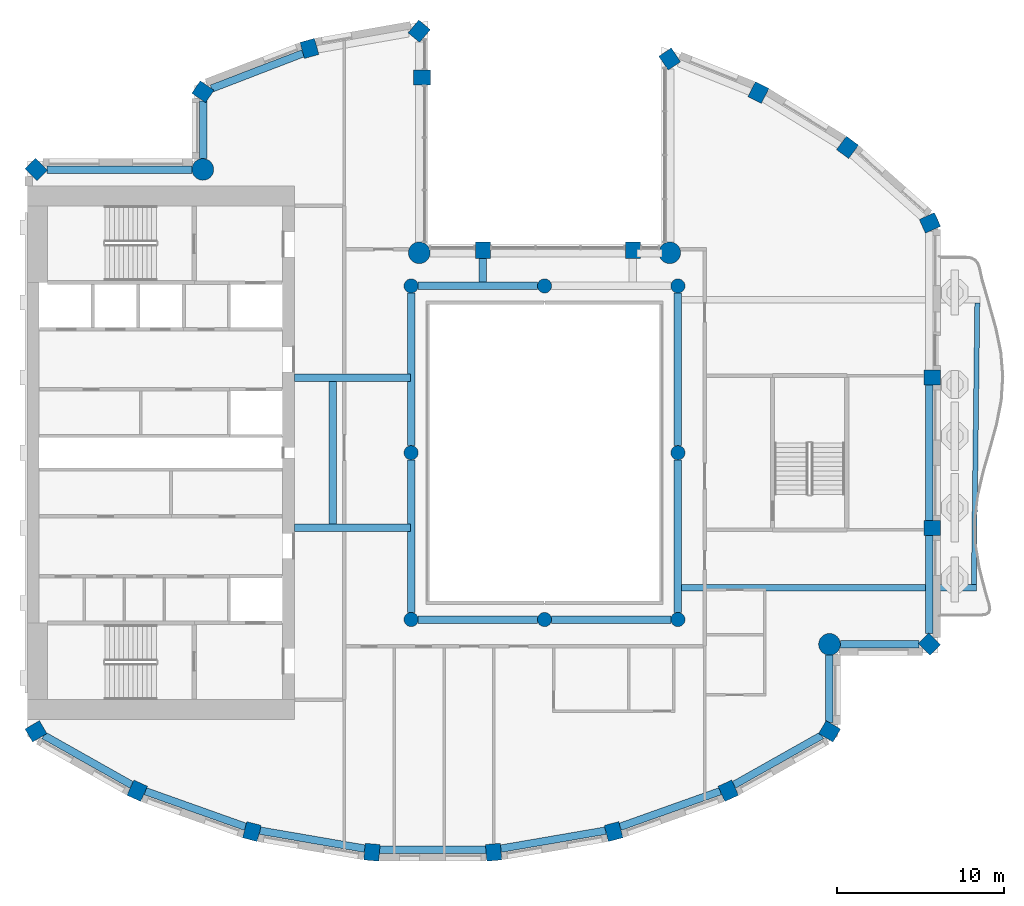
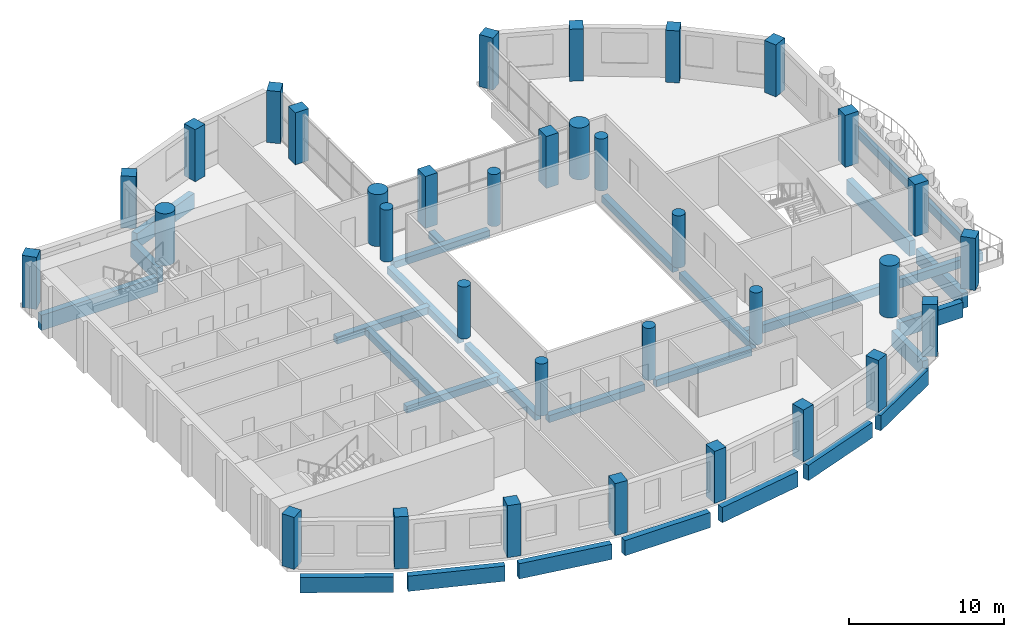
# One storey, part 1 of 14: 34 columns, 27 beams.
"""IFC4 building model written with IfcOpenShell, lengths in metres."""

from ifc_helpers import new_model, si_unit, direction, frame, origin, origin_2d, place, context, subcontext, project, spatial, rectangle, circle, extrude, material, material_profile, profile_set, type_object, element, save


model = new_model("IFC4")

# Units and contexts
model_context = context("Model", 3, precision=1e-05, world=origin(), true_north=direction((0.0, 1.0)))
body_context = subcontext(model_context, "Body", "Model", "MODEL_VIEW")
ifc_project = project(units=[si_unit("LENGTHUNIT", "METRE"), si_unit("AREAUNIT", "SQUARE_METRE"), si_unit("VOLUMEUNIT", "CUBIC_METRE"), si_unit("PLANEANGLEUNIT", "RADIAN"), si_unit("MASSUNIT", "GRAM", prefix="KILO")], contexts=[model_context])

# Site, building, storey
site_placement = place(None, origin())
site = spatial("IfcSite", under=ifc_project, at=site_placement, CompositionType="ELEMENT")
building_placement = place(site_placement, origin())
building = spatial("IfcBuilding", under=site, at=building_placement, Name="Cypress Arch Tower", CompositionType="ELEMENT")
storey_placement = place(building_placement, frame((0.0, 0.0, 251.60009765625)))
storey = spatial("IfcBuildingStorey", under=building, at=storey_placement, Name="L56", CompositionType="ELEMENT", Elevation=251.60009765625)

# Columns
ifc_material_1 = material(Name="Concrete C60/75", Category="concrete")
ifc_material_profile_1 = material_profile(ifc_material_1, rectangle(XDim=0.89990234375, YDim=1.0, at=origin_2d()), Name="RC 900x1000")
ifc_profile_set_1 = profile_set([ifc_material_profile_1], Name="Concrete C60/75")
column_type_1 = type_object("IfcColumnType", Name="Column RC 900x1000 Concrete C60/75", PredefinedType="COLUMN", material=ifc_profile_set_1)
for number, where, z_axis, x_axis, name in (
    (1, (8.5029296875, 23.606201171875, 0.0), (0.0, 0.0, 1.0), (-0.828469606019, -0.560034027451, 0.0), "Column L56 CC00"),
    (2, (6.300048828125, 12.14990234375, 0.0), (0.0, 0.0, 1.0), (-1.0, 0.0, 0.0), "Column L56 CC02"),
    (3, (-2.699951171875, 12.14990234375, 0.0), (0.0, 0.0, 1.0), (-1.0, 0.0, 0.0), "Column L56 CC03"),
    (4, (-6.35009765625, 22.5, 0.0), (0.0, 0.0, 1.0), (0.0, 1.0, 0.0), "Column L56 CC05"),
    (5, (-6.51611328125, 25.27490234375, 0.0), (0.0, 0.0, 1.0), (-0.766063514674, 0.642764880407, 0.0), "Column L56 CC06"),
    (6, (-13.0947265625, 24.241455078125, 0.0), (0.0, 0.0, 1.0), (-0.96345574646, -0.267867550506, 0.0), "Column L56 CC07"),
    (7, (-19.483154296875, 21.645263671875, 0.0), (0.0, 0.0, 1.0), (-0.565892599589, -0.824478966215, 0.0), "Column L56 CC08"),
    (8, (-29.478271484375, 16.978271484375, 0.0), (0.0, 0.0, 1.0), (-0.707106781187, -0.707106781187, 0.0), "Column L56 CC10"),
    (9, (-29.4912109375, -16.702880859375, 0.0), (0.0, 0.0, 1.0), (0.504399289829, -0.86347053014, 0.0), "Column L56 CC11"),
    (10, (-23.4189453125, -20.266845703125, 0.0), (0.0, 0.0, 1.0), (0.909932071487, -0.414757308891, 0.0), "Column L56 CC12"),
    (11, (-16.541748046875, -22.714599609375, 0.0), (0.0, 0.0, 1.0), (0.96735573689, -0.2534223319, 0.0), "Column L56 CC13"),
    (12, (-9.346923828125, -23.95361328125, 0.0), (0.0, 0.0, 1.0), (0.996368206733, -0.085149260784, 0.0), "Column L56 CC14"),
    (13, (-2.052978515625, -23.95361328125, 0.0), (0.0, 0.0, 1.0), (0.996368206733, 0.085149260784, 0.0), "Column L56 CC15"),
    (14, (5.1416015625, -22.714599609375, 0.0), (0.0, 0.0, 1.0), (0.96735573689, 0.2534223319, 0.0), "Column L56 CC16"),
    (15, (12.01904296875, -20.266845703125, 0.0), (0.0, 0.0, 1.0), (0.909932071487, 0.414757308891, 0.0), "Column L56 CC17"),
    (16, (18.09130859375, -16.702880859375, 0.0), (0.0, 0.0, 1.0), (0.504399289829, 0.86347053014, 0.0), "Column L56 CC18"),
    (17, (24.078369140625, -11.478271484375, 0.0), (0.0, 0.0, 1.0), (0.707106781187, 0.707106781187, 0.0), "Column L56 CC20"),
    (18, (24.25, -4.5, 0.0), (0.0, 0.0, 1.0), (0.0, 1.0, 0.0), "Column L56 CC21"),
    (19, (24.25, 4.5, 0.0), (0.0, 0.0, 1.0), (0.0, 1.0, 0.0), "Column L56 CC22"),
    (20, (24.109619140625, 13.77978515625, 0.0), (0.0, 0.0, 1.0), (-0.409765058504, 0.912191096662, 0.0), "Column L56 CC23"),
    (21, (19.168212890625, 18.307861328125, 0.0), (0.0, 0.0, 1.0), (-0.802798546114, 0.596250362144, 0.0), "Column L56 CC24"),
    (22, (13.82568359375, 21.59375, 0.0), (0.0, 0.0, 1.0), (-0.893106499805, 0.44984528452, 0.0), "Column L56 CC25"),
):
    element("IfcColumn", number, at=place(storey_placement, frame(where, z_axis=z_axis, x_axis=x_axis)), inside=storey, type_object=column_type_1, Name=name, PredefinedType="COLUMN", context=body_context, shape_type="SweptSolid", body=[
        extrude(rectangle(XDim=0.89990234375, YDim=1.0, at=origin_2d()), origin(), (0.0, 0.0, 1.0), 4.099853515625),
    ])
ifc_material_2 = material(Name="Concrete C60/75", Category="concrete")
ifc_material_profile_2 = material_profile(ifc_material_2, circle(Radius=0.425048828125, at=origin_2d()), Name="RC D850")
ifc_profile_set_2 = profile_set([ifc_material_profile_2], Name="Concrete C60/75")
column_type_2 = type_object("IfcColumnType", Name="Column RC D850 Concrete C60/75", PredefinedType="COLUMN", material=ifc_profile_set_2)
for number, where, z_axis, x_axis, name in (
    (23, (-7.0, -10.0, 0.0), (0.0, 0.0, 1.0), (1.0, 0.0, 0.0), "Column L56 RNG-L56-G-7-10"),
    (24, (-7.0, 0.0, 0.0), (0.0, 0.0, 1.0), (1.0, 0.0, 0.0), "Column L56 RNG-L56-G-7+0"),
    (25, (-7.0, 10.0, 0.0), (0.0, 0.0, 1.0), (1.0, 0.0, 0.0), "Column L56 RNG-L56-G-7+10"),
    (26, (1.0, -10.0, 0.0), (0.0, 0.0, 1.0), (1.0, 0.0, 0.0), "Column L56 RNG-L56-G+1-10"),
    (27, (1.0, 10.0, 0.0), (0.0, 0.0, 1.0), (1.0, 0.0, 0.0), "Column L56 RNG-L56-G+1+10"),
    (28, (9.0, -10.0, 0.0), (0.0, 0.0, 1.0), (1.0, 0.0, 0.0), "Column L56 RNG-L56-G+9-10"),
    (29, (9.0, 0.0, 0.0), (0.0, 0.0, 1.0), (1.0, 0.0, 0.0), "Column L56 RNG-L56-G+9+0"),
    (30, (9.0, 10.0, 0.0), (0.0, 0.0, 1.0), (1.0, 0.0, 0.0), "Column L56 RNG-L56-G+9+10"),
):
    element("IfcColumn", number, at=place(storey_placement, frame(where, z_axis=z_axis, x_axis=x_axis)), inside=storey, type_object=column_type_2, Name=name, PredefinedType="COLUMN", context=body_context, shape_type="SweptSolid", body=[
        extrude(circle(Radius=0.425048828125, at=origin_2d()), origin(), (0.0, 0.0, 1.0), 4.099853515625),
    ])
ifc_material_3 = material(Name="Concrete C60/75", Category="concrete")
ifc_material_profile_3 = material_profile(ifc_material_3, circle(Radius=0.64990234375, at=origin_2d()), Name="RC D1300")
ifc_profile_set_3 = profile_set([ifc_material_profile_3], Name="Concrete C60/75")
column_type_3 = type_object("IfcColumnType", Name="Mega-column RC D1300 Concrete C60/75", PredefinedType="COLUMN", material=ifc_profile_set_3)
for number, where, z_axis, x_axis, name in (
    (31, (8.51220703125, 11.98779296875, 0.0), (0.0, 0.0, 1.0), (1.0, 0.0, 0.0), "Column L56 CC01"),
    (32, (-6.51220703125, 11.98779296875, 0.0), (0.0, 0.0, 1.0), (1.0, 0.0, 0.0), "Column L56 CC04"),
    (33, (-19.48779296875, 16.98779296875, 0.0), (0.0, 0.0, 1.0), (1.0, 0.0, 0.0), "Column L56 CC09"),
    (34, (18.087890625, -11.48779296875, 0.0), (0.0, 0.0, 1.0), (1.0, 0.0, 0.0), "Column L56 CC19"),
):
    element("IfcColumn", number, at=place(storey_placement, frame(where, z_axis=z_axis, x_axis=x_axis)), inside=storey, type_object=column_type_3, Name=name, PredefinedType="COLUMN", context=body_context, shape_type="SweptSolid", body=[
        extrude(circle(Radius=0.64990234375, at=origin_2d()), origin(), (0.0, 0.0, 1.0), 4.099853515625),
    ])

# Beams
ifc_material_4 = material(Name="Concrete C50/60", Category="concrete")
ifc_material_profile_4 = material_profile(ifc_material_4, rectangle(XDim=0.300048828125, YDim=0.64990234375, at=origin_2d()), Name="RC 300x650")
ifc_profile_set_4 = profile_set([ifc_material_profile_4], Name="Concrete C50/60")
beam_type_1 = type_object("IfcBeamType", Name="Balcony edge beam RC 300x650 Concrete C50/60", PredefinedType="BEAM", material=ifc_profile_set_4)
beam_1_placement = place(storey_placement, frame((26.742919921875, -7.89990234375, -0.625), z_axis=(0.012189807326, 0.999925701539, 0.0), x_axis=(-0.999925701539, 0.012189807326, 0.0)))
element("IfcBeam", 35, at=beam_1_placement, inside=storey, type_object=beam_type_1, Name="Balcony edge beam L56 C17", PredefinedType="BEAM", context=body_context, shape_type="SweptSolid", body=[
    extrude(rectangle(XDim=0.300048828125, YDim=0.64990234375, at=origin_2d()), origin(), (0.0, 0.0, 1.0), 16.8837890625),
])
ifc_material_5 = material(Name="Concrete C50/60", Category="concrete")
ifc_material_profile_5 = material_profile(ifc_material_5, rectangle(XDim=0.39990234375, YDim=0.64990234375, at=origin_2d()), Name="RC 400x650")
ifc_profile_set_5 = profile_set([ifc_material_profile_5], Name="Concrete C50/60")
beam_type_2 = type_object("IfcBeamType", Name="Cantilever beam RC 400x650 Concrete C50/60", PredefinedType="BEAM", material=ifc_profile_set_5)
beam_2_placement = place(storey_placement, frame((9.22509765625, -8.10009765625, -0.625), z_axis=(1.0, 0.0, 0.0), x_axis=(0.0, 1.0, 0.0)))
element("IfcBeam", 36, at=beam_2_placement, inside=storey, type_object=beam_type_2, Name="Cantilever beam L56 C17 1", PredefinedType="BEAM", context=body_context, shape_type="SweptSolid", body=[
    extrude(rectangle(XDim=0.39990234375, YDim=0.64990234375, at=origin_2d()), origin(), (0.0, 0.0, 1.0), 17.66796875),
])
ifc_material_6 = material(Name="Concrete C50/60", Category="concrete")
ifc_material_profile_6 = material_profile(ifc_material_6, rectangle(XDim=0.449951171875, YDim=0.550048828125, at=origin_2d()), Name="RC 450x550")
ifc_profile_set_6 = profile_set([ifc_material_profile_6], Name="Concrete C50/60")
beam_type_3 = type_object("IfcBeamType", Name="Floor beam RC 450x550 Concrete C50/60", PredefinedType="BEAM", material=ifc_profile_set_6)
for number, where, z_axis, x_axis, name in (
    (37, (-7.0, -9.574951171875, -0.5751953125), (0.0, 1.0, 0.0), (-1.0, 0.0, 0.0), "Floor beam L56 RB001"),
    (38, (-7.0, 0.425048828125, -0.5751953125), (0.0, 1.0, 0.0), (-1.0, 0.0, 0.0), "Floor beam L56 RB002"),
    (39, (9.0, -9.574951171875, -0.5751953125), (0.0, 1.0, 0.0), (-1.0, 0.0, 0.0), "Floor beam L56 RB003"),
    (40, (9.0, 0.425048828125, -0.5751953125), (0.0, 1.0, 0.0), (-1.0, 0.0, 0.0), "Floor beam L56 RB004"),
):
    element("IfcBeam", number, at=place(storey_placement, frame(where, z_axis=z_axis, x_axis=x_axis)), inside=storey, type_object=beam_type_3, Name=name, PredefinedType="BEAM", context=body_context, shape_type="SweptSolid", body=[
        extrude(rectangle(XDim=0.449951171875, YDim=0.550048828125, at=origin_2d()), origin(), (0.0, 0.0, 1.0), 9.14990234375),
    ])
for number, where, z_axis, x_axis, name in (
    (41, (-6.574951171875, -10.0, -0.5751953125), (1.0, 0.0, 0.0), (0.0, 1.0, 0.0), "Floor beam L56 RB005"),
    (42, (1.425048828125, -10.0, -0.5751953125), (1.0, 0.0, 0.0), (0.0, 1.0, 0.0), "Floor beam L56 RB006"),
    (43, (-6.574951171875, 10.0, -0.5751953125), (1.0, 0.0, 0.0), (0.0, 1.0, 0.0), "Floor beam L56 RB007"),
):
    element("IfcBeam", number, at=place(storey_placement, frame(where, z_axis=z_axis, x_axis=x_axis)), inside=storey, type_object=beam_type_3, Name=name, PredefinedType="BEAM", context=body_context, shape_type="SweptSolid", body=[
        extrude(rectangle(XDim=0.449951171875, YDim=0.550048828125, at=origin_2d()), origin(), (0.0, 0.0, 1.0), 7.14990234375),
    ])
for number, where, z_axis, x_axis, name in (
    (44, (-14.0, -4.5, -0.5751953125), (1.0, 0.0, 0.0), (0.0, 1.0, 0.0), "Floor beam L56 FB009"),
    (45, (-14.0, 4.5, -0.5751953125), (1.0, 0.0, 0.0), (0.0, 1.0, 0.0), "Floor beam L56 FB010"),
):
    element("IfcBeam", number, at=place(storey_placement, frame(where, z_axis=z_axis, x_axis=x_axis)), inside=storey, type_object=beam_type_3, Name=name, PredefinedType="BEAM", context=body_context, shape_type="SweptSolid", body=[
        extrude(rectangle(XDim=0.449951171875, YDim=0.550048828125, at=origin_2d()), origin(), (0.0, 0.0, 1.0), 6.949951171875),
    ])
beam_3_placement = place(storey_placement, frame((-11.699951171875, -4.27490234375, -0.5751953125), z_axis=(0.0, 1.0, 0.0), x_axis=(-1.0, 0.0, 0.0)))
element("IfcBeam", 46, at=beam_3_placement, inside=storey, type_object=beam_type_3, Name="Floor beam L56 FB011", PredefinedType="BEAM", context=body_context, shape_type="SweptSolid", body=[
    extrude(rectangle(XDim=0.449951171875, YDim=0.550048828125, at=origin_2d()), origin(), (0.0, 0.0, 1.0), 8.5498046875),
])
beam_4_placement = place(storey_placement, frame((-2.699951171875, 10.22509765625, -0.5751953125), z_axis=(0.0, 1.0, 0.0), x_axis=(-1.0, 0.0, 0.0)))
element("IfcBeam", 47, at=beam_4_placement, inside=storey, type_object=beam_type_3, Name="Floor beam L56 FB012", PredefinedType="BEAM", context=body_context, shape_type="SweptSolid", body=[
    extrude(rectangle(XDim=0.449951171875, YDim=0.550048828125, at=origin_2d()), origin(), (0.0, 0.0, 1.0), 1.4248046875),
])
ifc_material_7 = material(Name="Concrete C50/60", Category="concrete")
ifc_material_profile_7 = material_profile(ifc_material_7, rectangle(XDim=0.449951171875, YDim=1.199951171875, at=origin_2d()), Name="RC 450x1200")
ifc_profile_set_7 = profile_set([ifc_material_profile_7], Name="Concrete C50/60")
beam_type_4 = type_object("IfcBeamType", Name="Spandrel beam RC 450x1200 Concrete C50/60", PredefinedType="SPANDREL", material=ifc_profile_set_7)
beam_5_placement = place(storey_placement, frame((-13.48046875, 23.94921875, -1.550048828125), z_axis=(-0.933138853319, -0.359516175472, 0.0), x_axis=(0.359516175472, -0.933138853319, 0.0)))
element("IfcBeam", 48, at=beam_5_placement, inside=storey, type_object=beam_type_4, Name="Spandrel beam L56 BC04-0", PredefinedType="SPANDREL", context=body_context, shape_type="SweptSolid", body=[
    extrude(rectangle(XDim=0.449951171875, YDim=1.199951171875, at=origin_2d()), origin(), (0.0, 0.0, 1.0), 5.878173828125),
])
beam_6_placement = place(storey_placement, frame((-19.47509765625, 21.09375, -1.550048828125), z_axis=(0.0, -1.0, 0.0), x_axis=(1.0, 0.0, 0.0)))
element("IfcBeam", 49, at=beam_6_placement, inside=storey, type_object=beam_type_4, Name="Spandrel beam L56 BC05-0", PredefinedType="SPANDREL", context=body_context, shape_type="SweptSolid", body=[
    extrude(rectangle(XDim=0.449951171875, YDim=1.199951171875, at=origin_2d()), origin(), (0.0, 0.0, 1.0), 3.456298828125),
])
beam_7_placement = place(storey_placement, frame((-20.137451171875, 16.97509765625, -1.550048828125), z_axis=(-1.0, 0.0, 0.0), x_axis=(0.0, -1.0, 0.0)))
element("IfcBeam", 50, at=beam_7_placement, inside=storey, type_object=beam_type_4, Name="Spandrel beam L56 BC06-0", PredefinedType="SPANDREL", context=body_context, shape_type="SweptSolid", body=[
    extrude(rectangle(XDim=0.449951171875, YDim=1.199951171875, at=origin_2d()), origin(), (0.0, 0.0, 1.0), 8.701171875),
])
beam_8_placement = place(storey_placement, frame((-29.02099609375, -16.94921875, -1.550048828125), z_axis=(0.871059543975, -0.491177433165, 0.0), x_axis=(0.491177433165, 0.871059543975, 0.0)))
element("IfcBeam", 51, at=beam_8_placement, inside=storey, type_object=beam_type_4, Name="Spandrel beam L56 BC08-0", PredefinedType="SPANDREL", context=body_context, shape_type="SweptSolid", body=[
    extrude(rectangle(XDim=0.449951171875, YDim=1.199951171875, at=origin_2d()), origin(), (0.0, 0.0, 1.0), 6.045654296875),
])
beam_9_placement = place(storey_placement, frame((-22.93603515625, -20.2919921875, -1.550048828125), z_axis=(0.942120065582, -0.33527568064, 0.0), x_axis=(0.33527568064, 0.942120065582, 0.0)))
element("IfcBeam", 52, at=beam_9_placement, inside=storey, type_object=beam_type_4, Name="Spandrel beam L56 BC09-0", PredefinedType="SPANDREL", context=body_context, shape_type="SweptSolid", body=[
    extrude(rectangle(XDim=0.449951171875, YDim=1.199951171875, at=origin_2d()), origin(), (0.0, 0.0, 1.0), 6.373046875),
])
beam_10_placement = place(storey_placement, frame((-16.061279296875, -22.656982421875, -1.550048828125), z_axis=(0.985502990778, -0.169658053646, 0.0), x_axis=(0.169658053646, 0.985502990778, 0.0)))
element("IfcBeam", 53, at=beam_10_placement, inside=storey, type_object=beam_type_4, Name="Spandrel beam L56 BC10-0", PredefinedType="SPANDREL", context=body_context, shape_type="SweptSolid", body=[
    extrude(rectangle(XDim=0.449951171875, YDim=1.199951171875, at=origin_2d()), origin(), (0.0, 0.0, 1.0), 6.373291015625),
])
beam_11_placement = place(storey_placement, frame((-8.883544921875, -23.81494140625, -1.550048828125), z_axis=(1.0, 0.0, 0.0), x_axis=(0.0, 1.0, 0.0)))
element("IfcBeam", 54, at=beam_11_placement, inside=storey, type_object=beam_type_4, Name="Spandrel beam L56 BC11-0", PredefinedType="SPANDREL", context=body_context, shape_type="SweptSolid", body=[
    extrude(rectangle(XDim=0.449951171875, YDim=1.199951171875, at=origin_2d()), origin(), (0.0, 0.0, 1.0), 6.366943359375),
])
beam_12_placement = place(storey_placement, frame((-1.619873046875, -23.73828125, -1.550048828125), z_axis=(0.985504093315, 0.169651649149, 0.0), x_axis=(-0.169651649149, 0.985504093315, 0.0)))
element("IfcBeam", 55, at=beam_12_placement, inside=storey, type_object=beam_type_4, Name="Spandrel beam L56 BC12-0", PredefinedType="SPANDREL", context=body_context, shape_type="SweptSolid", body=[
    extrude(rectangle(XDim=0.449951171875, YDim=1.199951171875, at=origin_2d()), origin(), (0.0, 0.0, 1.0), 6.37353515625),
])
beam_13_placement = place(storey_placement, frame((5.531982421875, -22.4287109375, -1.550048828125), z_axis=(0.942115759102, 0.335287781541, 0.0), x_axis=(-0.335287781541, 0.942115759102, 0.0)))
element("IfcBeam", 56, at=beam_13_placement, inside=storey, type_object=beam_type_4, Name="Spandrel beam L56 BC13-0", PredefinedType="SPANDREL", context=body_context, shape_type="SweptSolid", body=[
    extrude(rectangle(XDim=0.449951171875, YDim=1.199951171875, at=origin_2d()), origin(), (0.0, 0.0, 1.0), 6.372802734375),
])
beam_14_placement = place(storey_placement, frame((12.35498046875, -19.918701171875, -1.550048828125), z_axis=(0.871059543975, 0.491177433165, 0.0), x_axis=(-0.491177433165, 0.871059543975, 0.0)))
element("IfcBeam", 57, at=beam_14_placement, inside=storey, type_object=beam_type_4, Name="Spandrel beam L56 BC14-0", PredefinedType="SPANDREL", context=body_context, shape_type="SweptSolid", body=[
    extrude(rectangle(XDim=0.449951171875, YDim=1.199951171875, at=origin_2d()), origin(), (0.0, 0.0, 1.0), 6.045654296875),
])
beam_15_placement = place(storey_placement, frame((18.074951171875, -16.172119140625, -1.550048828125), z_axis=(0.0, 1.0, 0.0), x_axis=(-1.0, 0.0, 0.0)))
element("IfcBeam", 58, at=beam_15_placement, inside=storey, type_object=beam_type_4, Name="Spandrel beam L56 BC15-0", PredefinedType="SPANDREL", context=body_context, shape_type="SweptSolid", body=[
    extrude(rectangle(XDim=0.449951171875, YDim=1.199951171875, at=origin_2d()), origin(), (0.0, 0.0, 1.0), 4.03466796875),
])
beam_16_placement = place(storey_placement, frame((18.737548828125, -11.47509765625, -1.550048828125), z_axis=(1.0, 0.0, 0.0), x_axis=(0.0, 1.0, 0.0)))
element("IfcBeam", 59, at=beam_16_placement, inside=storey, type_object=beam_type_4, Name="Spandrel beam L56 BC16-0", PredefinedType="SPANDREL", context=body_context, shape_type="SweptSolid", body=[
    extrude(rectangle(XDim=0.449951171875, YDim=1.199951171875, at=origin_2d()), origin(), (0.0, 0.0, 1.0), 4.701171875),
])
beam_17_placement = place(storey_placement, frame((24.074951171875, -10.838623046875, -1.550048828125), z_axis=(0.0, 1.0, 0.0), x_axis=(-1.0, 0.0, 0.0)))
element("IfcBeam", 60, at=beam_17_placement, inside=storey, type_object=beam_type_4, Name="Spandrel beam L56 BC17-0", PredefinedType="SPANDREL", context=body_context, shape_type="SweptSolid", body=[
    extrude(rectangle(XDim=0.449951171875, YDim=1.199951171875, at=origin_2d()), origin(), (0.0, 0.0, 1.0), 5.888671875),
])
beam_18_placement = place(storey_placement, frame((24.074951171875, -4.050048828125, -1.550048828125), z_axis=(0.0, 1.0, 0.0), x_axis=(-1.0, 0.0, 0.0)))
element("IfcBeam", 61, at=beam_18_placement, inside=storey, type_object=beam_type_4, Name="Spandrel beam L56 BC17-1", PredefinedType="SPANDREL", context=body_context, shape_type="SweptSolid", body=[
    extrude(rectangle(XDim=0.449951171875, YDim=1.199951171875, at=origin_2d()), origin(), (0.0, 0.0, 1.0), 8.10009765625),
])

save(model, "model.ifc")
